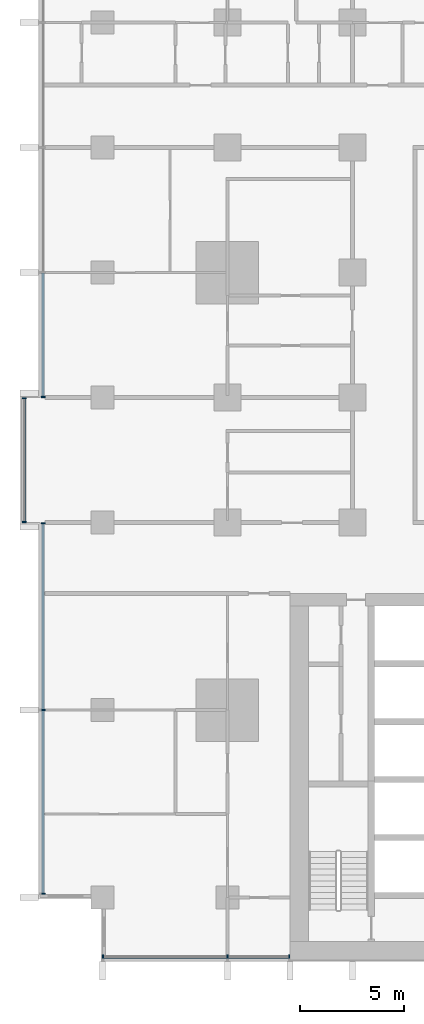
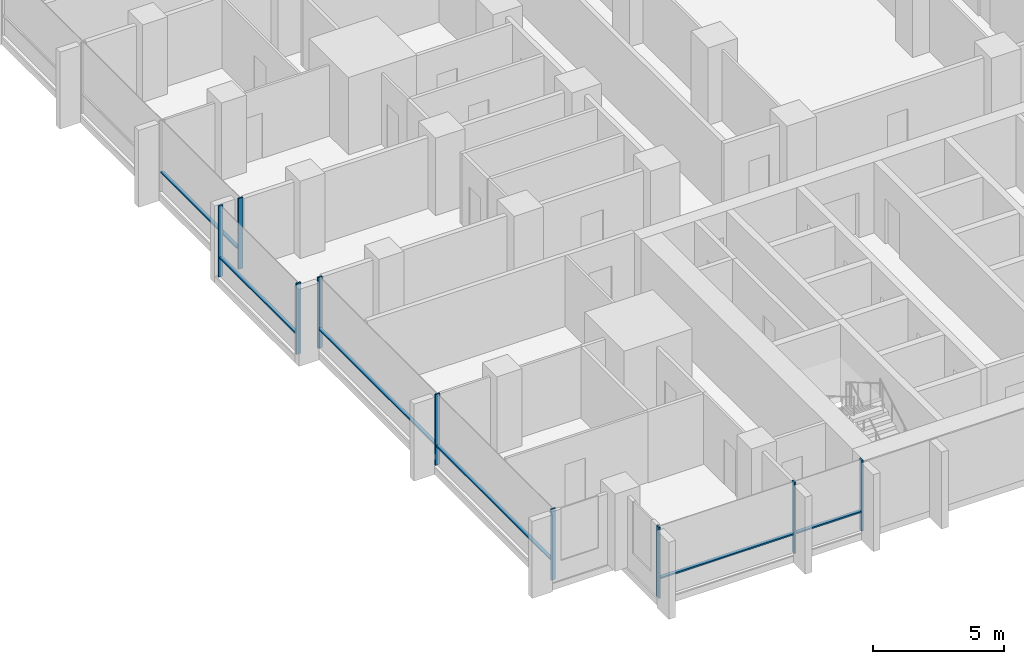
# One storey, part 2 of 18: 15 members, 4 elements without a shape of their own.
"""IFC4 building model written with IfcOpenShell, lengths in metres."""

from ifc_helpers import new_model, si_unit, direction, frame, origin, origin_2d, place, context, subcontext, project, spatial, rectangle, extrude, material, material_profile, profile_set, type_object, element, aggregate, save


model = new_model("IFC4")

# Units and contexts
model_context = context("Model", 3, precision=1e-05, world=origin(), true_north=direction((0.0, 1.0)))
body_context = subcontext(model_context, "Body", "Model", "MODEL_VIEW")
ifc_project = project(units=[si_unit("LENGTHUNIT", "METRE"), si_unit("AREAUNIT", "SQUARE_METRE"), si_unit("VOLUMEUNIT", "CUBIC_METRE"), si_unit("PLANEANGLEUNIT", "RADIAN"), si_unit("MASSUNIT", "GRAM", prefix="KILO")], contexts=[model_context])

# Site, building, storey
site_placement = place(None, origin())
site = spatial("IfcSite", under=ifc_project, at=site_placement, CompositionType="ELEMENT")
building_placement = place(site_placement, origin())
building = spatial("IfcBuilding", under=site, at=building_placement, Name="Finial Court Residences", CompositionType="ELEMENT")
storey_placement = place(building_placement, frame((0.0, 0.0, 54.10009765625)))
storey = spatial("IfcBuildingStorey", under=building, at=storey_placement, Name="L12", CompositionType="ELEMENT", Elevation=54.10009765625)

# Curtain wall, members
ifc_material = material(Name="Bronze anodised aluminium", Category="aluminium")
curtain_wall_type = type_object("IfcCurtainWallType", Name="Unitised curtain wall, lower and middle zones", PredefinedType="NOTDEFINED", material=ifc_material)
curtain_wall_1_placement = place(storey_placement, origin())
curtain_wall_1 = element("IfcCurtainWall", 1, at=curtain_wall_1_placement, inside=storey, type_object=curtain_wall_type, Name="E-L12-CW-S8", PredefinedType="NOTDEFINED")
ifc_material_profile_1 = material_profile(ifc_material, rectangle(XDim=0.199951171875, YDim=0.06494140625, at=origin_2d()), Name="CW1 mullion 65 x 200")
ifc_profile_set_1 = profile_set([ifc_material_profile_1], Name="Bronze anodised aluminium")
member_type_1 = type_object("IfcMemberType", Name="CW1 mullion 65 x 200", PredefinedType="MULLION", material=ifc_profile_set_1)
member_1_placement = place(storey_placement, frame((-22.467529296875, -25.35009765625, 0.0), z_axis=(0.0, 0.0, 1.0), x_axis=(0.0, 1.0, 0.0)))
member_1 = element("IfcMember", 2, at=member_1_placement, type_object=member_type_1, Name="CW1 mullion 1", PredefinedType="MULLION", context=body_context, shape_type="SweptSolid", body=[
    extrude(rectangle(XDim=0.199951171875, YDim=0.06494140625, at=origin_2d()), origin(), (0.0, 0.0, 1.0), 3.2998046875),
])
member_2_placement = place(storey_placement, frame((-16.5, -25.35009765625, 0.0), z_axis=(0.0, 0.0, 1.0), x_axis=(0.0, 1.0, 0.0)))
member_2 = element("IfcMember", 3, at=member_2_placement, type_object=member_type_1, Name="CW1 mullion 2", PredefinedType="MULLION", context=body_context, shape_type="SweptSolid", body=[
    extrude(rectangle(XDim=0.199951171875, YDim=0.06494140625, at=origin_2d()), origin(), (0.0, 0.0, 1.0), 3.2998046875),
])
member_3_placement = place(storey_placement, frame((-13.532470703125, -25.35009765625, 0.0), z_axis=(0.0, 0.0, 1.0), x_axis=(0.0, 1.0, 0.0)))
member_3 = element("IfcMember", 4, at=member_3_placement, type_object=member_type_1, Name="CW1 mullion 3", PredefinedType="MULLION", context=body_context, shape_type="SweptSolid", body=[
    extrude(rectangle(XDim=0.199951171875, YDim=0.06494140625, at=origin_2d()), origin(), (0.0, 0.0, 1.0), 3.2998046875),
])

curtain_wall_2_placement = place(storey_placement, origin())
curtain_wall_2 = element("IfcCurtainWall", 5, at=curtain_wall_2_placement, inside=storey, type_object=curtain_wall_type, Name="E-L12-CW-W10", PredefinedType="NOTDEFINED")
member_4_placement = place(storey_placement, frame((-25.35009765625, -22.3173828125, 0.0), z_axis=(0.0, 0.0, 1.0), x_axis=(-1.0, 0.0, 0.0)))
member_4 = element("IfcMember", 6, at=member_4_placement, type_object=member_type_1, Name="CW1 mullion 1", PredefinedType="MULLION", context=body_context, shape_type="SweptSolid", body=[
    extrude(rectangle(XDim=0.199951171875, YDim=0.06494140625, at=origin_2d()), origin(), (0.0, 0.0, 1.0), 3.2998046875),
])
member_5_placement = place(storey_placement, frame((-25.35009765625, -13.5, 0.0), z_axis=(0.0, 0.0, 1.0), x_axis=(-1.0, 0.0, 0.0)))
member_5 = element("IfcMember", 7, at=member_5_placement, type_object=member_type_1, Name="CW1 mullion 2", PredefinedType="MULLION", context=body_context, shape_type="SweptSolid", body=[
    extrude(rectangle(XDim=0.199951171875, YDim=0.06494140625, at=origin_2d()), origin(), (0.0, 0.0, 1.0), 3.2998046875),
])
member_6_placement = place(storey_placement, frame((-25.35009765625, -4.532470703125, 0.0), z_axis=(0.0, 0.0, 1.0), x_axis=(-1.0, 0.0, 0.0)))
member_6 = element("IfcMember", 8, at=member_6_placement, type_object=member_type_1, Name="CW1 mullion 3", PredefinedType="MULLION", context=body_context, shape_type="SweptSolid", body=[
    extrude(rectangle(XDim=0.199951171875, YDim=0.06494140625, at=origin_2d()), origin(), (0.0, 0.0, 1.0), 3.2998046875),
])

curtain_wall_3_placement = place(storey_placement, origin())
curtain_wall_3 = element("IfcCurtainWall", 9, at=curtain_wall_3_placement, inside=storey, type_object=curtain_wall_type, Name="E-L12-CW-W11", PredefinedType="NOTDEFINED")
member_7_placement = place(storey_placement, frame((-26.25, -4.467529296875, 0.0), z_axis=(0.0, 0.0, 1.0), x_axis=(-1.0, 0.0, 0.0)))
member_7 = element("IfcMember", 10, at=member_7_placement, type_object=member_type_1, Name="CW1 mullion 1", PredefinedType="MULLION", context=body_context, shape_type="SweptSolid", body=[
    extrude(rectangle(XDim=0.199951171875, YDim=0.06494140625, at=origin_2d()), origin(), (0.0, 0.0, 1.0), 3.2998046875),
])
member_8_placement = place(storey_placement, frame((-26.25, 1.467529296875, 0.0), z_axis=(0.0, 0.0, 1.0), x_axis=(-1.0, 0.0, 0.0)))
member_8 = element("IfcMember", 11, at=member_8_placement, type_object=member_type_1, Name="CW1 mullion 2", PredefinedType="MULLION", context=body_context, shape_type="SweptSolid", body=[
    extrude(rectangle(XDim=0.199951171875, YDim=0.06494140625, at=origin_2d()), origin(), (0.0, 0.0, 1.0), 3.2998046875),
])

# Curtain wall, member
curtain_wall_4_placement = place(storey_placement, origin())
curtain_wall_4 = element("IfcCurtainWall", 12, at=curtain_wall_4_placement, inside=storey, type_object=curtain_wall_type, Name="E-L12-CW-W12", PredefinedType="NOTDEFINED")
member_9_placement = place(storey_placement, frame((-25.35009765625, 1.532470703125, 0.0), z_axis=(0.0, 0.0, 1.0), x_axis=(-1.0, 0.0, 0.0)))
member_9 = element("IfcMember", 13, at=member_9_placement, type_object=member_type_1, Name="CW1 mullion 1", PredefinedType="MULLION", context=body_context, shape_type="SweptSolid", body=[
    extrude(rectangle(XDim=0.199951171875, YDim=0.06494140625, at=origin_2d()), origin(), (0.0, 0.0, 1.0), 3.2998046875),
])

# Member
ifc_material_profile_2 = material_profile(ifc_material, rectangle(XDim=0.14990234375, YDim=0.06494140625, at=origin_2d()), Name="CW1 transom 65 x 150")
ifc_profile_set_2 = profile_set([ifc_material_profile_2], Name="Bronze anodised aluminium")
member_type_2 = type_object("IfcMemberType", Name="CW1 transom 65 x 150", PredefinedType="USERDEFINED", material=ifc_profile_set_2)
member_10_placement = place(storey_placement, frame((-22.43505859375, -25.35009765625, 0.89990234375), z_axis=(1.0, 0.0, 0.0), x_axis=(0.0, 1.0, 0.0)))
member_10 = element("IfcMember", 14, at=member_10_placement, type_object=member_type_2, Name="CW1 transom 1.1", ObjectType="TRANSOM", PredefinedType="USERDEFINED", context=body_context, shape_type="SweptSolid", body=[
    extrude(rectangle(XDim=0.14990234375, YDim=0.06494140625, at=origin_2d()), origin(), (0.0, 0.0, 1.0), 5.902587890625),
])

member_11_placement = place(storey_placement, frame((-16.467529296875, -25.35009765625, 0.89990234375), z_axis=(1.0, 0.0, 0.0), x_axis=(0.0, 1.0, 0.0)))
member_11 = element("IfcMember", 15, at=member_11_placement, type_object=member_type_2, Name="CW1 transom 2.1", ObjectType="TRANSOM", PredefinedType="USERDEFINED", context=body_context, shape_type="SweptSolid", body=[
    extrude(rectangle(XDim=0.14990234375, YDim=0.06494140625, at=origin_2d()), origin(), (0.0, 0.0, 1.0), 2.902587890625),
])

aggregate(curtain_wall_1, [member_1, member_2, member_3, member_10, member_11])

member_12_placement = place(storey_placement, frame((-25.35009765625, -22.284912109375, 0.89990234375), z_axis=(0.0, 1.0, 0.0), x_axis=(-1.0, 0.0, 0.0)))
member_12 = element("IfcMember", 16, at=member_12_placement, type_object=member_type_2, Name="CW1 transom 1.1", ObjectType="TRANSOM", PredefinedType="USERDEFINED", context=body_context, shape_type="SweptSolid", body=[
    extrude(rectangle(XDim=0.14990234375, YDim=0.06494140625, at=origin_2d()), origin(), (0.0, 0.0, 1.0), 8.75244140625),
])

member_13_placement = place(storey_placement, frame((-25.35009765625, -13.467529296875, 0.89990234375), z_axis=(0.0, 1.0, 0.0), x_axis=(-1.0, 0.0, 0.0)))
member_13 = element("IfcMember", 17, at=member_13_placement, type_object=member_type_2, Name="CW1 transom 2.1", ObjectType="TRANSOM", PredefinedType="USERDEFINED", context=body_context, shape_type="SweptSolid", body=[
    extrude(rectangle(XDim=0.14990234375, YDim=0.06494140625, at=origin_2d()), origin(), (0.0, 0.0, 1.0), 8.902587890625),
])

aggregate(curtain_wall_2, [member_4, member_5, member_6, member_12, member_13])

member_14_placement = place(storey_placement, frame((-26.25, -4.43505859375, 0.89990234375), z_axis=(0.0, 1.0, 0.0), x_axis=(-1.0, 0.0, 0.0)))
member_14 = element("IfcMember", 18, at=member_14_placement, type_object=member_type_2, Name="CW1 transom 1.1", ObjectType="TRANSOM", PredefinedType="USERDEFINED", context=body_context, shape_type="SweptSolid", body=[
    extrude(rectangle(XDim=0.14990234375, YDim=0.06494140625, at=origin_2d()), origin(), (0.0, 0.0, 1.0), 5.8701171875),
])

aggregate(curtain_wall_3, [member_7, member_8, member_14])

member_15_placement = place(storey_placement, frame((-25.35009765625, 1.56494140625, 0.89990234375), z_axis=(0.0, 1.0, 0.0), x_axis=(-1.0, 0.0, 0.0)))
member_15 = element("IfcMember", 19, at=member_15_placement, type_object=member_type_2, Name="CW1 transom 1.1", ObjectType="TRANSOM", PredefinedType="USERDEFINED", context=body_context, shape_type="SweptSolid", body=[
    extrude(rectangle(XDim=0.14990234375, YDim=0.06494140625, at=origin_2d()), origin(), (0.0, 0.0, 1.0), 5.902587890625),
])

aggregate(curtain_wall_4, [member_9, member_15])

save(model, "model.ifc")
